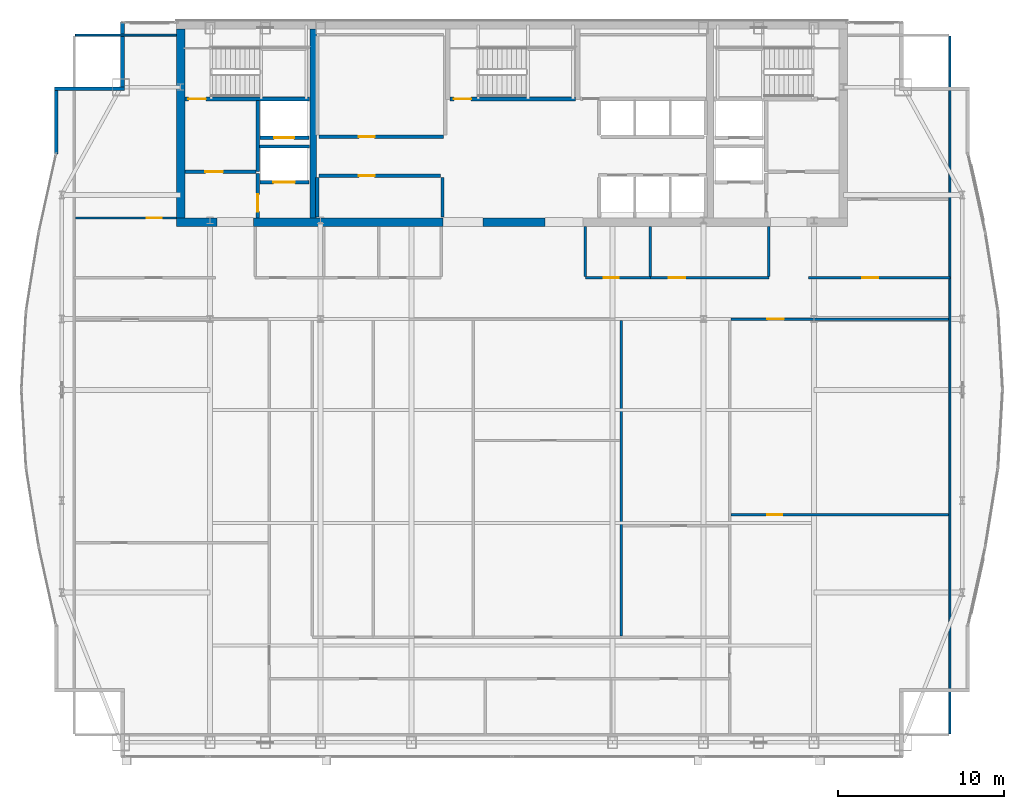
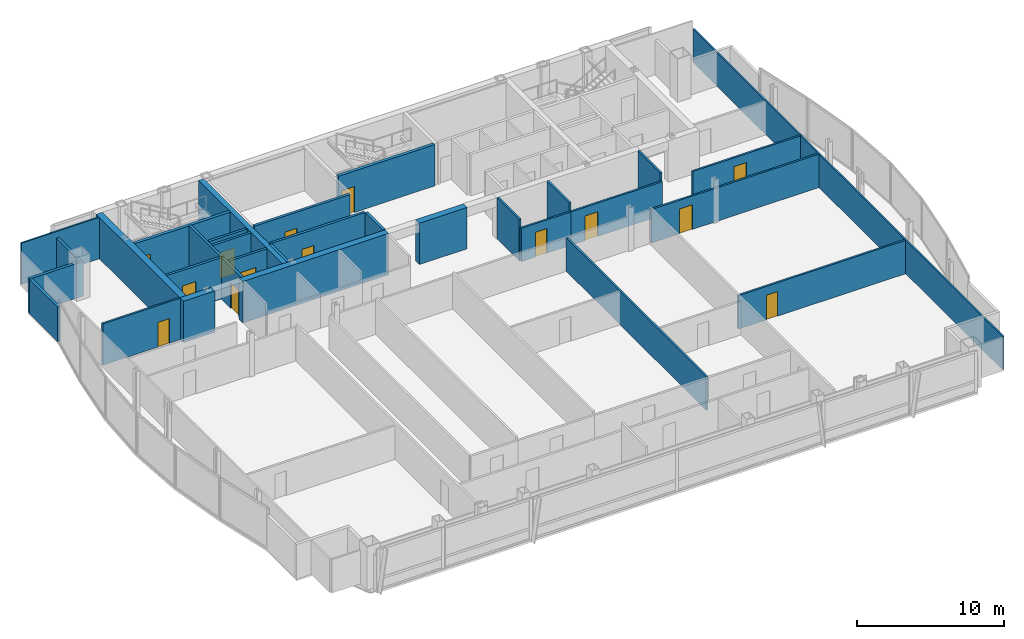
# One storey, part 26 of 30: 32 walls, 14 doors, 14 openings.
"""IFC4 building model written with IfcOpenShell, lengths in metres."""

from ifc_helpers import new_model, si_unit, direction, frame, frame_2d, origin, place, context, subcontext, project, spatial, rectangle, extrude, material, layer, layer_set, type_object, element, fill, save


model = new_model("IFC4")

# Units and contexts
model_context = context("Model", 3, precision=1e-05, world=origin(), true_north=direction((0.0, 1.0)))
body_context = subcontext(model_context, "Body", "Model", "MODEL_VIEW")
ifc_project = project(units=[si_unit("LENGTHUNIT", "METRE"), si_unit("AREAUNIT", "SQUARE_METRE"), si_unit("VOLUMEUNIT", "CUBIC_METRE"), si_unit("PLANEANGLEUNIT", "RADIAN"), si_unit("MASSUNIT", "GRAM", prefix="KILO")], contexts=[model_context])

# Site, building, storey
site_placement = place(None, origin())
site = spatial("IfcSite", under=ifc_project, at=site_placement, CompositionType="ELEMENT")
building_placement = place(site_placement, origin())
building = spatial("IfcBuilding", under=site, at=building_placement, Name="Khoronbel Lancet Exchange", CompositionType="ELEMENT")
storey_placement = place(building_placement, frame((0.0, 0.0, 269.800048828125)))
storey = spatial("IfcBuildingStorey", under=building, at=storey_placement, Name="L69", CompositionType="ELEMENT", Elevation=269.800048828125)

# Walls
ifc_material_1 = material(Name="Concrete C60/75", Category="concrete")
ifc_layer_1 = layer(ifc_material_1, 0.5, Name="Concrete C60/75")
ifc_layer_set_1 = layer_set([ifc_layer_1], Name="Concrete C60/75")
wall_type_1 = type_object("IfcWallType", Name="WL-CW4", PredefinedType="SHEAR", material=ifc_layer_set_1)
wall_1_placement = place(storey_placement, frame((16.449951171875, 41.800048828125, 0.0), z_axis=(0.0, 0.0, 1.0), x_axis=(0.0, 1.0, 0.0)))
element("IfcWall", 1, at=wall_1_placement, inside=storey, type_object=wall_type_1, Name="Level L69 rear core west shear wall", PredefinedType="SHEAR", context=body_context, shape_type="SweptSolid", body=[
    extrude(rectangle(XDim=11.39990234375, YDim=0.5, at=frame_2d((5.699951171875, 0.0))), origin(), (0.0, 0.0, 1.0), 3.43994140625),
])
wall_2_placement = place(storey_placement, frame((18.64990234375, 41.550048828125, 0.0), z_axis=(0.0, 0.0, 1.0), x_axis=(-1.0, 0.0, 0.0)))
element("IfcWall", 2, at=wall_2_placement, inside=storey, type_object=wall_type_1, Name="Level L69 rear core south shear wall pier P1", PredefinedType="SHEAR", context=body_context, shape_type="SweptSolid", body=[
    extrude(rectangle(XDim=2.449951171875, YDim=0.5, at=frame_2d((1.22509765625, 0.0))), origin(), (0.0, 0.0, 1.0), 3.43994140625),
])
wall_3_placement = place(storey_placement, frame((32.300048828125, 41.550048828125, 0.0), z_axis=(0.0, 0.0, 1.0), x_axis=(-1.0, 0.0, 0.0)))
element("IfcWall", 3, at=wall_3_placement, inside=storey, type_object=wall_type_1, Name="Level L69 rear core south shear wall pier P2", PredefinedType="SHEAR", context=body_context, shape_type="SweptSolid", body=[
    extrude(rectangle(XDim=11.449951171875, YDim=0.5, at=frame_2d((5.72509765625, 0.0))), origin(), (0.0, 0.0, 1.0), 3.43994140625),
])
wall_4_placement = place(storey_placement, frame((38.449951171875, 41.550048828125, 0.0), z_axis=(0.0, 0.0, 1.0), x_axis=(-1.0, 0.0, 0.0)))
element("IfcWall", 4, at=wall_4_placement, inside=storey, type_object=wall_type_1, Name="Level L69 rear core south shear wall pier P3", PredefinedType="SHEAR", context=body_context, shape_type="SweptSolid", body=[
    extrude(rectangle(XDim=3.75, YDim=0.5, at=frame_2d((1.875, 0.0))), origin(), (0.0, 0.0, 1.0), 3.43994140625),
])
ifc_material_2 = material(Name="Precast concrete C40/50", Category="concrete")
ifc_layer_2 = layer(ifc_material_2, 0.25, Name="Precast concrete C40/50")
ifc_layer_set_2 = layer_set([ifc_layer_2], Name="Precast concrete C40/50")
wall_type_2 = type_object("IfcWallType", Name="WL-EXT250", PredefinedType="SOLIDWALL", material=ifc_layer_set_2)
wall_5_placement = place(storey_placement, frame((8.93994140625, 45.670166015625, 0.0), z_axis=(0.0, 0.0, 1.0), x_axis=(0.0, 1.0, 0.0)))
element("IfcWall", 5, at=wall_5_placement, inside=storey, type_object=wall_type_2, Name="Level L69 notched-corner limestone pier 10", PredefinedType="SOLIDWALL", context=body_context, shape_type="SweptSolid", body=[
    extrude(rectangle(XDim=3.829833984375, YDim=0.219970703125, at=frame_2d((1.9150390625, 0.0))), origin(), (0.0, 0.0, 1.0), 2.8798828125),
])
wall_6_placement = place(storey_placement, frame((8.830078125, 49.610107421875, 0.0), z_axis=(0.0, 0.0, 1.0), x_axis=(1.0, 0.0, 0.0)))
element("IfcWall", 6, at=wall_6_placement, inside=storey, type_object=wall_type_2, Name="Level L69 notched-corner limestone pier 11", PredefinedType="SOLIDWALL", context=body_context, shape_type="SweptSolid", body=[
    extrude(rectangle(XDim=4.219970703125, YDim=0.219970703125, at=frame_2d((2.10986328125, 0.0))), origin(), (0.0, 0.0, 1.0), 2.8798828125),
])
wall_7_placement = place(storey_placement, frame((12.93994140625, 49.719970703125, 0.0), z_axis=(0.0, 0.0, 1.0), x_axis=(0.0, 1.0, 0.0)))
element("IfcWall", 7, at=wall_7_placement, inside=storey, type_object=wall_type_2, Name="Level L69 notched-corner limestone pier 12", PredefinedType="SOLIDWALL", context=body_context, shape_type="SweptSolid", body=[
    extrude(rectangle(XDim=3.909912109375, YDim=0.219970703125, at=frame_2d((1.955078125, 0.0))), origin(), (0.0, 0.0, 1.0), 2.8798828125),
])
ifc_material_3 = material(Name="Acoustic Metal-Stud & Mineral-Wool Gypsum Partition 120 mm", Category="gypsum")
ifc_layer_3 = layer(ifc_material_3, 0.1201171875, Name="Acoustic Metal-Stud & Mineral-Wool Gypsum Partition 120 mm")
ifc_layer_set_3 = layer_set([ifc_layer_3], Name="Acoustic Metal-Stud & Mineral-Wool Gypsum Partition 120 mm")
wall_type_3 = type_object("IfcWallType", Name="WL-PRT120", PredefinedType="PARTITIONING", material=ifc_layer_set_3)
for number, where, z_axis, x_axis, name in (
    (8, (40.8798828125, 38.280029296875, 0.0), (0.0, 0.0, 1.0), (0.0, 1.0, 0.0), "Level L69 interior partition PW-NP-0"),
    (9, (44.800048828125, 38.280029296875, 0.0), (0.0, 0.0, 1.0), (0.0, 1.0, 0.0), "Level L69 interior partition PW-NP-M"),
    (10, (51.949951171875, 38.280029296875, 0.0), (0.0, 0.0, 1.0), (0.0, 1.0, 0.0), "Level L69 interior partition PW-NP-1"),
):
    element("IfcWall", number, at=place(storey_placement, frame(where, z_axis=z_axis, x_axis=x_axis)), inside=storey, type_object=wall_type_3, Name=name, PredefinedType="PARTITIONING", context=body_context, shape_type="SweptSolid", body=[
        extrude(rectangle(XDim=3.02001953125, YDim=0.14990234375, at=frame_2d((1.510009765625, 0.0))), origin(), (0.0, 0.0, 1.0), 3.43994140625),
    ])

# Wall, opening, door
wall_8_placement = place(storey_placement, frame((10.094970703125, 41.800048828125, 0.0), z_axis=(0.0, 0.0, 1.0), x_axis=(1.0, 0.0, 0.0)))
wall_8 = element("IfcWall", 11, at=wall_8_placement, inside=storey, type_object=wall_type_3, Name="Level L69 interior partition PW-NW-H", PredefinedType="PARTITIONING", context=body_context, shape_type="SweptSolid", body=[
    extrude(rectangle(XDim=6.10498046875, YDim=0.14990234375, at=frame_2d((3.052490234375, 0.0))), origin(), (0.0, 0.0, 1.0), 3.43994140625),
])
opening_1_placement = place(wall_8_placement, frame((4.320068359375, 0.0, 0.0)))
opening_1 = element("IfcOpeningElement", 12, at=opening_1_placement, cuts=wall_8, Name="Opening D5", PredefinedType="OPENING", context=body_context, shape_type="SweptSolid", body=[
    extrude(rectangle(XDim=0.89990234375, YDim=2.050048828125, at=frame_2d((0.449951171875, 1.02490234375))), frame((0.0, 0.0849609375, 0.0), z_axis=(0.0, -1.0, 0.0), x_axis=(1.0, 0.0, 0.0)), (0.0, 0.0, 1.0), 0.169921875),
])
ifc_material_4 = material(Name="Acoustic Timber Pantry & Support Door", Category="wood")
door_type_1 = type_object("IfcDoorType", Name="DR-D5", OperationType="NOTDEFINED", PredefinedType="DOOR", material=ifc_material_4)
door_1_placement = place(opening_1_placement, origin())
door_1 = element("IfcDoor", 13, at=door_1_placement, inside=storey, type_object=door_type_1, Name="NW north room door L69-1", OperationType="SINGLE_SWING_LEFT", OverallHeight=2.050048828125, OverallWidth=0.89990234375, PredefinedType="DOOR", context=body_context, shape_type="SweptSolid", body=[
    extrude(rectangle(XDim=0.89990234375, YDim=2.050048828125, at=frame_2d((0.449951171875, 1.02490234375))), frame((0.0, 0.02490234375, 0.0), z_axis=(0.0, -1.0, 0.0), x_axis=(1.0, 0.0, 0.0)), (0.0, 0.0, 1.0), 0.050048828125),
])
fill(opening_1, door_1)

wall_9_placement = place(storey_placement, frame((49.659912109375, 23.89990234375, 0.0), z_axis=(0.0, 0.0, 1.0), x_axis=(1.0, 0.0, 0.0)))
wall_9 = element("IfcWall", 14, at=wall_9_placement, inside=storey, type_object=wall_type_3, Name="Level L69 interior partition PW-Z4-EH", PredefinedType="PARTITIONING", context=body_context, shape_type="SweptSolid", body=[
    extrude(rectangle(XDim=13.14501953125, YDim=0.14990234375, at=frame_2d((6.572509765625, 0.0))), origin(), (0.0, 0.0, 1.0), 2.780029296875),
])
opening_2_placement = place(wall_9_placement, frame((2.199951171875, 0.0, 0.0)))
opening_2 = element("IfcOpeningElement", 15, at=opening_2_placement, cuts=wall_9, Name="Opening D5", PredefinedType="OPENING", context=body_context, shape_type="SweptSolid", body=[
    extrude(rectangle(XDim=0.89990234375, YDim=2.050048828125, at=frame_2d((0.449951171875, 1.02490234375))), frame((0.0, 0.0849609375, 0.0), z_axis=(0.0, -1.0, 0.0), x_axis=(1.0, 0.0, 0.0)), (0.0, 0.0, 1.0), 0.169921875),
])
door_2_placement = place(opening_2_placement, origin())
door_2 = element("IfcDoor", 16, at=door_2_placement, inside=storey, type_object=door_type_1, Name="East lens inner door L69-1", OperationType="SINGLE_SWING_RIGHT", OverallHeight=2.050048828125, OverallWidth=0.89990234375, PredefinedType="DOOR", context=body_context, shape_type="SweptSolid", body=[
    extrude(rectangle(XDim=0.89990234375, YDim=2.050048828125, at=frame_2d((0.449951171875, 1.02490234375))), frame((0.0, 0.02490234375, 0.0), z_axis=(0.0, -1.0, 0.0), x_axis=(1.0, 0.0, 0.0)), (0.0, 0.0, 1.0), 0.050048828125),
])
fill(opening_2, door_2)

# Walls
wall_10_placement = place(storey_placement, frame((62.8701171875, 10.6650390625, 0.0), z_axis=(0.0, 0.0, 1.0), x_axis=(0.0, 1.0, 0.0)))
element("IfcWall", 17, at=wall_10_placement, inside=storey, type_object=wall_type_3, Name="Level L69 interior partition PW-LIN-E", PredefinedType="PARTITIONING", context=body_context, shape_type="SweptSolid", body=[
    extrude(rectangle(XDim=42.10986328125, YDim=0.1201171875, at=frame_2d((21.054931640625, 0.0))), origin(), (0.0, 0.0, 1.0), 2.780029296875),
])
wall_11_placement = place(storey_placement, frame((10.094970703125, 52.840087890625, 0.0), z_axis=(0.0, 0.0, 1.0), x_axis=(1.0, 0.0, 0.0)))
element("IfcWall", 18, at=wall_11_placement, inside=storey, type_object=wall_type_3, Name="Level L69 interior partition PW-LIN-NW", PredefinedType="PARTITIONING", context=body_context, shape_type="SweptSolid", body=[
    extrude(rectangle(XDim=6.10498046875, YDim=0.1201171875, at=frame_2d((3.052490234375, 0.0))), origin(), (0.0, 0.0, 1.0), 3.43994140625),
])

# Wall, opening, door
ifc_material_5 = material(Name="Fire-Rated Twin-Stud Acoustic Gypsum Partition 150 mm", Category="gypsum")
ifc_layer_4 = layer(ifc_material_5, 0.14990234375, Name="Fire-Rated Twin-Stud Acoustic Gypsum Partition 150 mm")
ifc_layer_set_4 = layer_set([ifc_layer_4], Name="Fire-Rated Twin-Stud Acoustic Gypsum Partition 150 mm")
wall_type_4 = type_object("IfcWallType", Name="WL-PRT150C", PredefinedType="PARTITIONING", material=ifc_layer_set_4)
wall_12_placement = place(storey_placement, frame((40.8798828125, 38.199951171875, 0.0), z_axis=(0.0, 0.0, 1.0), x_axis=(1.0, 0.0, 0.0)))
wall_12 = element("IfcWall", 19, at=wall_12_placement, inside=storey, type_object=wall_type_4, Name="Level L69 interior partition PW-NP-S1", PredefinedType="PARTITIONING", context=body_context, shape_type="SweptSolid", body=[
    extrude(rectangle(XDim=3.920166015625, YDim=0.14990234375, at=frame_2d((1.9599609375, 0.0))), origin(), (0.0, 0.0, 1.0), 2.780029296875),
])
opening_3_placement = place(wall_12_placement, frame((1.10009765625, 0.0, 0.0)))
opening_3 = element("IfcOpeningElement", 20, at=opening_3_placement, cuts=wall_12, Name="Opening D5", PredefinedType="OPENING", context=body_context, shape_type="SweptSolid", body=[
    extrude(rectangle(XDim=0.89990234375, YDim=2.050048828125, at=frame_2d((0.449951171875, 1.02490234375))), frame((0.0, 0.0849609375, 0.0), z_axis=(0.0, -1.0, 0.0), x_axis=(1.0, 0.0, 0.0)), (0.0, 0.0, 1.0), 0.169921875),
])
door_3_placement = place(opening_3_placement, origin())
door_3 = element("IfcDoor", 21, at=door_3_placement, inside=storey, type_object=door_type_1, Name="Floor refreshment pantry door L69-1", OperationType="SINGLE_SWING_LEFT", OverallHeight=2.050048828125, OverallWidth=0.89990234375, PredefinedType="DOOR", context=body_context, shape_type="SweptSolid", body=[
    extrude(rectangle(XDim=0.89990234375, YDim=2.050048828125, at=frame_2d((0.449951171875, 1.02490234375))), frame((0.0, 0.02490234375, 0.0), z_axis=(0.0, -1.0, 0.0), x_axis=(1.0, 0.0, 0.0)), (0.0, 0.0, 1.0), 0.050048828125),
])
fill(opening_3, door_3)

wall_13_placement = place(storey_placement, frame((44.800048828125, 38.199951171875, 0.0), z_axis=(0.0, 0.0, 1.0), x_axis=(1.0, 0.0, 0.0)))
wall_13 = element("IfcWall", 22, at=wall_13_placement, inside=storey, type_object=wall_type_4, Name="Level L69 interior partition PW-NP-S2", PredefinedType="PARTITIONING", context=body_context, shape_type="SweptSolid", body=[
    extrude(rectangle(XDim=7.14990234375, YDim=0.14990234375, at=frame_2d((3.574951171875, 0.0))), origin(), (0.0, 0.0, 1.0), 2.780029296875),
])
opening_4_placement = place(wall_13_placement, frame((1.10009765625, 0.0, 0.0)))
opening_4 = element("IfcOpeningElement", 23, at=opening_4_placement, cuts=wall_13, Name="Opening D2", PredefinedType="OPENING", context=body_context, shape_type="SweptSolid", body=[
    extrude(rectangle(XDim=1.0, YDim=2.050048828125, at=frame_2d((0.5, 1.02490234375))), frame((0.0, 0.0849609375, 0.0), z_axis=(0.0, -1.0, 0.0), x_axis=(1.0, 0.0, 0.0)), (0.0, 0.0, 1.0), 0.169921875),
])
ifc_material_6 = material(Name="Acoustic Veneered Timber & Bronze Frame Door", Category="wood")
door_type_2 = type_object("IfcDoorType", Name="DR-D2", OperationType="NOTDEFINED", PredefinedType="DOOR", material=ifc_material_6)
door_4_placement = place(opening_4_placement, origin())
door_4 = element("IfcDoor", 24, at=door_4_placement, inside=storey, type_object=door_type_2, Name="Floor store door L69-1", OperationType="SINGLE_SWING_RIGHT", OverallHeight=2.050048828125, OverallWidth=1.0, PredefinedType="DOOR", context=body_context, shape_type="SweptSolid", body=[
    extrude(rectangle(XDim=1.0, YDim=2.050048828125, at=frame_2d((0.5, 1.02490234375))), frame((0.0, 0.02490234375, 0.0), z_axis=(0.0, -1.0, 0.0), x_axis=(1.0, 0.0, 0.0)), (0.0, 0.0, 1.0), 0.050048828125),
])
fill(opening_4, door_4)

wall_14_placement = place(storey_placement, frame((54.35009765625, 38.199951171875, 0.0), z_axis=(0.0, 0.0, 1.0), x_axis=(1.0, 0.0, 0.0)))
wall_14 = element("IfcWall", 25, at=wall_14_placement, inside=storey, type_object=wall_type_4, Name="Level L69 interior partition PW-NE-S", PredefinedType="PARTITIONING", context=body_context, shape_type="SweptSolid", body=[
    extrude(rectangle(XDim=8.52001953125, YDim=0.14990234375, at=frame_2d((4.260009765625, 0.0))), origin(), (0.0, 0.0, 1.0), 2.780029296875),
])
opening_5_placement = place(wall_14_placement, frame((3.25, 0.0, 0.0)))
opening_5 = element("IfcOpeningElement", 26, at=opening_5_placement, cuts=wall_14, Name="Opening D1", PredefinedType="OPENING", context=body_context, shape_type="SweptSolid", body=[
    extrude(rectangle(XDim=0.949951171875, YDim=2.050048828125, at=frame_2d((0.47509765625, 1.02490234375))), frame((0.0, 0.0849609375, 0.0), z_axis=(0.0, -1.0, 0.0), x_axis=(1.0, 0.0, 0.0)), (0.0, 0.0, 1.0), 0.169921875),
])
door_type_3 = type_object("IfcDoorType", Name="DR-D1", OperationType="NOTDEFINED", PredefinedType="DOOR", material=ifc_material_6)
door_5_placement = place(opening_5_placement, origin())
door_5 = element("IfcDoor", 27, at=door_5_placement, inside=storey, type_object=door_type_3, Name="NE corner room door L69-1", OperationType="SINGLE_SWING_RIGHT", OverallHeight=2.050048828125, OverallWidth=0.949951171875, PredefinedType="DOOR", context=body_context, shape_type="SweptSolid", body=[
    extrude(rectangle(XDim=0.949951171875, YDim=2.050048828125, at=frame_2d((0.47509765625, 1.02490234375))), frame((0.0, 0.02490234375, 0.0), z_axis=(0.0, -1.0, 0.0), x_axis=(1.0, 0.0, 0.0)), (0.0, 0.0, 1.0), 0.050048828125),
])
fill(opening_5, door_5)

wall_15_placement = place(storey_placement, frame((49.659912109375, 35.699951171875, 0.0), z_axis=(0.0, 0.0, 1.0), x_axis=(1.0, 0.0, 0.0)))
wall_15 = element("IfcWall", 28, at=wall_15_placement, inside=storey, type_object=wall_type_4, Name="Level L69 interior partition PW-Z4-EN2", PredefinedType="PARTITIONING", context=body_context, shape_type="SweptSolid", body=[
    extrude(rectangle(XDim=13.14501953125, YDim=0.14990234375, at=frame_2d((6.572509765625, 0.0))), origin(), (0.0, 0.0, 1.0), 2.780029296875),
])
opening_6_placement = place(wall_15_placement, frame((2.199951171875, 0.0, 0.0)))
opening_6 = element("IfcOpeningElement", 29, at=opening_6_placement, cuts=wall_15, Name="Opening D2", PredefinedType="OPENING", context=body_context, shape_type="SweptSolid", body=[
    extrude(rectangle(XDim=1.0, YDim=2.050048828125, at=frame_2d((0.5, 1.02490234375))), frame((0.0, 0.0849609375, 0.0), z_axis=(0.0, -1.0, 0.0), x_axis=(1.0, 0.0, 0.0)), (0.0, 0.0, 1.0), 0.169921875),
])
door_6_placement = place(opening_6_placement, origin())
door_6 = element("IfcDoor", 30, at=door_6_placement, inside=storey, type_object=door_type_2, Name="East lens north door L69-1", OperationType="SINGLE_SWING_LEFT", OverallHeight=2.050048828125, OverallWidth=1.0, PredefinedType="DOOR", context=body_context, shape_type="SweptSolid", body=[
    extrude(rectangle(XDim=1.0, YDim=2.050048828125, at=frame_2d((0.5, 1.02490234375))), frame((0.0, 0.02490234375, 0.0), z_axis=(0.0, -1.0, 0.0), x_axis=(1.0, 0.0, 0.0)), (0.0, 0.0, 1.0), 0.050048828125),
])
fill(opening_6, door_6)

# Wall
wall_16_placement = place(storey_placement, frame((43.036376953125, 16.5849609375, 0.0), z_axis=(0.0, 0.0, 1.0), x_axis=(0.0, 1.0, 0.0)))
element("IfcWall", 31, at=wall_16_placement, inside=storey, type_object=wall_type_4, Name="Level L69 interior partition PW-Z4C-V3", PredefinedType="PARTITIONING", context=body_context, shape_type="SweptSolid", body=[
    extrude(rectangle(XDim=19.03515625, YDim=0.14990234375, at=frame_2d((9.517578125, 0.0))), origin(), (0.0, 0.0, 1.0), 2.780029296875),
])

# Wall, opening, door
ifc_material_7 = material(Name="Autoclaved Aerated Concrete Blockwork 200 mm", Category="masonry")
ifc_layer_5 = layer(ifc_material_7, 0.199951171875, Name="Autoclaved Aerated Concrete Blockwork 200 mm")
ifc_layer_set_5 = layer_set([ifc_layer_5], Name="Autoclaved Aerated Concrete Blockwork 200 mm")
wall_type_5 = type_object("IfcWallType", Name="WL-PRT200", PredefinedType="PARTITIONING", material=ifc_layer_set_5)
wall_17_placement = place(storey_placement, frame((24.2099609375, 43.949951171875, 0.0), z_axis=(0.0, 0.0, 1.0), x_axis=(-1.0, 0.0, 0.0)))
wall_17 = element("IfcWall", 32, at=wall_17_placement, inside=storey, type_object=wall_type_5, Name="Level L69 elevator hoistway landing front wall SVLW", PredefinedType="PARTITIONING", context=body_context, shape_type="SweptSolid", body=[
    extrude(rectangle(XDim=2.969970703125, YDim=0.199951171875, at=frame_2d((1.48486328125, 0.0))), origin(), (0.0, 0.0, 1.0), 3.43994140625),
])
opening_7_placement = place(wall_17_placement, frame((0.860107421875, 0.0, 0.0)))
opening_7 = element("IfcOpeningElement", 33, at=opening_7_placement, cuts=wall_17, Name="Opening LD-SVL1", PredefinedType="OPENING", context=body_context, shape_type="SweptSolid", body=[
    extrude(rectangle(XDim=1.300048828125, YDim=2.179931640625, at=frame_2d((0.64990234375, 1.08984375))), frame((0.0, 0.10986328125, 0.0), z_axis=(0.0, -1.0, 0.0), x_axis=(1.0, 0.0, 0.0)), (0.0, 0.0, 1.0), 0.219970703125),
])
ifc_material_8 = material(Name="Heavy-Duty Bi-Parting Goods Lift Landing Door", Category="steel")
door_type_4 = type_object("IfcDoorType", Name="DR-LD-SVL", OperationType="NOTDEFINED", PredefinedType="DOOR", material=ifc_material_8)
door_7_placement = place(opening_7_placement, origin())
door_7 = element("IfcDoor", 34, at=door_7_placement, inside=storey, type_object=door_type_4, Name="Elevator landing sliding door LD-SVL1 L69", OperationType="SLIDING_TO_LEFT", OverallHeight=2.179931640625, OverallWidth=1.300048828125, PredefinedType="DOOR", context=body_context, shape_type="SweptSolid", body=[
    extrude(rectangle(XDim=1.300048828125, YDim=2.179931640625, at=frame_2d((0.64990234375, 1.08984375))), frame((0.0, 0.02490234375, 0.0), z_axis=(0.0, -1.0, 0.0), x_axis=(1.0, 0.0, 0.0)), (0.0, 0.0, 1.0), 0.050048828125),
])
fill(opening_7, door_7)

wall_18_placement = place(storey_placement, frame((24.2099609375, 46.64990234375, 0.0), z_axis=(0.0, 0.0, 1.0), x_axis=(-1.0, 0.0, 0.0)))
wall_18 = element("IfcWall", 35, at=wall_18_placement, inside=storey, type_object=wall_type_5, Name="Level L69 elevator hoistway landing front wall FFLW", PredefinedType="PARTITIONING", context=body_context, shape_type="SweptSolid", body=[
    extrude(rectangle(XDim=2.969970703125, YDim=0.199951171875, at=frame_2d((1.48486328125, 0.0))), origin(), (0.0, 0.0, 1.0), 3.43994140625),
])
opening_8_placement = place(wall_18_placement, frame((0.909912109375, 0.0, 0.0)))
opening_8 = element("IfcOpeningElement", 36, at=opening_8_placement, cuts=wall_18, Name="Opening LD-FFL1", PredefinedType="OPENING", context=body_context, shape_type="SweptSolid", body=[
    extrude(rectangle(XDim=1.199951171875, YDim=2.179931640625, at=frame_2d((0.60009765625, 1.08984375))), frame((0.0, 0.10986328125, 0.0), z_axis=(0.0, -1.0, 0.0), x_axis=(1.0, 0.0, 0.0)), (0.0, 0.0, 1.0), 0.219970703125),
])
ifc_material_9 = material(Name="Fire-Rated Stainless Bi-Parting Firefighting Lift Door", Category="steel")
door_type_5 = type_object("IfcDoorType", Name="DR-LD-FFL", OperationType="NOTDEFINED", PredefinedType="DOOR", material=ifc_material_9)
door_8_placement = place(opening_8_placement, origin())
door_8 = element("IfcDoor", 37, at=door_8_placement, inside=storey, type_object=door_type_5, Name="Elevator landing sliding door LD-FFL1 L69", OperationType="SLIDING_TO_LEFT", OverallHeight=2.179931640625, OverallWidth=1.199951171875, PredefinedType="DOOR", context=body_context, shape_type="SweptSolid", body=[
    extrude(rectangle(XDim=1.199951171875, YDim=2.179931640625, at=frame_2d((0.60009765625, 1.08984375))), frame((0.0, 0.02490234375, 0.0), z_axis=(0.0, -1.0, 0.0), x_axis=(1.0, 0.0, 0.0)), (0.0, 0.0, 1.0), 0.050048828125),
])
fill(opening_8, door_8)

# Wall
wall_19_placement = place(storey_placement, frame((21.10009765625, 44.60009765625, 0.0), z_axis=(0.0, 0.0, 1.0), x_axis=(0.0, 1.0, 0.0)))
element("IfcWall", 38, at=wall_19_placement, inside=storey, type_object=wall_type_5, Name="Level L69 interior partition CW-FFLW-E", PredefinedType="PARTITIONING", context=body_context, shape_type="SweptSolid", body=[
    extrude(rectangle(XDim=4.2998046875, YDim=0.199951171875, at=frame_2d((2.14990234375, 0.0))), origin(), (0.0, 0.0, 1.0), 3.43994140625),
])

# Wall, opening, door
wall_20_placement = place(storey_placement, frame((16.699951171875, 44.60009765625, 0.0), z_axis=(0.0, 0.0, 1.0), x_axis=(1.0, 0.0, 0.0)))
wall_20 = element("IfcWall", 39, at=wall_20_placement, inside=storey, type_object=wall_type_5, Name="Level L69 interior partition CW-FFLW-S", PredefinedType="PARTITIONING", context=body_context, shape_type="SweptSolid", body=[
    extrude(rectangle(XDim=4.300048828125, YDim=0.199951171875, at=frame_2d((2.14990234375, 0.0))), origin(), (0.0, 0.0, 1.0), 3.43994140625),
])
opening_9_placement = place(wall_20_placement, frame((1.25, 0.0, 0.0)))
opening_9 = element("IfcOpeningElement", 40, at=opening_9_placement, cuts=wall_20, Name="Opening FD1", PredefinedType="OPENING", context=body_context, shape_type="SweptSolid", body=[
    extrude(rectangle(XDim=1.050048828125, YDim=2.14990234375, at=frame_2d((0.52490234375, 1.074951171875))), frame((0.0, 0.10986328125, 0.0), z_axis=(0.0, -1.0, 0.0), x_axis=(1.0, 0.0, 0.0)), (0.0, 0.0, 1.0), 0.219970703125),
])
ifc_material_10 = material(Name="Fire-Rated Painted Steel Door Assembly", Category="steel")
door_type_6 = type_object("IfcDoorType", Name="DR-FD1", OperationType="NOTDEFINED", PredefinedType="DOOR", material=ifc_material_10)
door_9_placement = place(opening_9_placement, origin())
door_9 = element("IfcDoor", 41, at=door_9_placement, inside=storey, type_object=door_type_6, Name="West firefighting lobby FD90S door L69-1", OperationType="SINGLE_SWING_LEFT", OverallHeight=2.14990234375, OverallWidth=1.050048828125, PredefinedType="DOOR", context=body_context, shape_type="SweptSolid", body=[
    extrude(rectangle(XDim=1.050048828125, YDim=2.14990234375, at=frame_2d((0.52490234375, 1.074951171875))), frame((0.0, 0.02490234375, 0.0), z_axis=(0.0, -1.0, 0.0), x_axis=(1.0, 0.0, 0.0)), (0.0, 0.0, 1.0), 0.050048828125),
])
fill(opening_9, door_9)

# Wall
wall_21_placement = place(storey_placement, frame((21.199951171875, 46.1201171875, 0.0), z_axis=(0.0, 0.0, 1.0), x_axis=(1.0, 0.0, 0.0)))
element("IfcWall", 42, at=wall_21_placement, inside=storey, type_object=wall_type_5, Name="Level L69 interior partition CW-FFL1-S", PredefinedType="PARTITIONING", context=body_context, shape_type="SweptSolid", body=[
    extrude(rectangle(XDim=3.02001953125, YDim=0.199951171875, at=frame_2d((1.510009765625, 0.0))), origin(), (0.0, 0.0, 1.0), 3.43994140625),
])

# Wall, opening, door
wall_22_placement = place(storey_placement, frame((21.10009765625, 41.800048828125, 0.0), z_axis=(0.0, 0.0, 1.0), x_axis=(0.0, 1.0, 0.0)))
wall_22 = element("IfcWall", 43, at=wall_22_placement, inside=storey, type_object=wall_type_5, Name="Level L69 interior partition CW-SVLW-W", PredefinedType="PARTITIONING", context=body_context, shape_type="SweptSolid", body=[
    extrude(rectangle(XDim=2.695068359375, YDim=0.199951171875, at=frame_2d((1.34765625, 0.0))), origin(), (0.0, 0.0, 1.0), 3.43994140625),
])
opening_10_placement = place(wall_22_placement, frame((0.3798828125, 0.0, 0.0)))
opening_10 = element("IfcOpeningElement", 44, at=opening_10_placement, cuts=wall_22, Name="Opening FD1", PredefinedType="OPENING", context=body_context, shape_type="SweptSolid", body=[
    extrude(rectangle(XDim=1.050048828125, YDim=2.14990234375, at=frame_2d((0.52490234375, 1.074951171875))), frame((0.0, 0.10986328125, 0.0), z_axis=(0.0, -1.0, 0.0), x_axis=(1.0, 0.0, 0.0)), (0.0, 0.0, 1.0), 0.219970703125),
])
door_10_placement = place(opening_10_placement, origin())
door_10 = element("IfcDoor", 45, at=door_10_placement, inside=storey, type_object=door_type_6, Name="West service lift lobby door L69-1", OperationType="SINGLE_SWING_RIGHT", OverallHeight=2.14990234375, OverallWidth=1.050048828125, PredefinedType="DOOR", context=body_context, shape_type="SweptSolid", body=[
    extrude(rectangle(XDim=1.050048828125, YDim=2.14990234375, at=frame_2d((0.52490234375, 1.074951171875))), frame((0.0, 0.02490234375, 0.0), z_axis=(0.0, -1.0, 0.0), x_axis=(1.0, 0.0, 0.0)), (0.0, 0.0, 1.0), 0.050048828125),
])
fill(opening_10, door_10)

wall_23_placement = place(storey_placement, frame((24.804931640625, 46.699951171875, 0.0), z_axis=(0.0, 0.0, 1.0), x_axis=(1.0, 0.0, 0.0)))
wall_23 = element("IfcWall", 46, at=wall_23_placement, inside=storey, type_object=wall_type_5, Name="Level L69 interior partition CW-PL-RF", PredefinedType="PARTITIONING", context=body_context, shape_type="SweptSolid", body=[
    extrude(rectangle(XDim=7.510009765625, YDim=0.199951171875, at=frame_2d((3.7548828125, 0.0))), origin(), (0.0, 0.0, 1.0), 3.43994140625),
])
opening_11_placement = place(wall_23_placement, frame((2.39990234375, 0.0, 0.0)))
opening_11 = element("IfcOpeningElement", 47, at=opening_11_placement, cuts=wall_23, Name="Opening FD3", PredefinedType="OPENING", context=body_context, shape_type="SweptSolid", body=[
    extrude(rectangle(XDim=0.949951171875, YDim=2.10009765625, at=frame_2d((0.47509765625, 1.050048828125))), frame((0.0, 0.10986328125, 0.0), z_axis=(0.0, -1.0, 0.0), x_axis=(1.0, 0.0, 0.0)), (0.0, 0.0, 1.0), 0.219970703125),
])
ifc_material_11 = material(Name="Fire-Rated Steel Plant & Riser Door Assembly", Category="steel")
door_type_7 = type_object("IfcDoorType", Name="DR-FD3", OperationType="NOTDEFINED", PredefinedType="DOOR", material=ifc_material_11)
door_11_placement = place(opening_11_placement, origin())
door_11 = element("IfcDoor", 48, at=door_11_placement, inside=storey, type_object=door_type_7, Name="Reclaimed PL room door L69-1", OperationType="SINGLE_SWING_LEFT", OverallHeight=2.10009765625, OverallWidth=0.949951171875, PredefinedType="DOOR", context=body_context, shape_type="SweptSolid", body=[
    extrude(rectangle(XDim=0.949951171875, YDim=2.10009765625, at=frame_2d((0.47509765625, 1.050048828125))), frame((0.0, 0.02490234375, 0.0), z_axis=(0.0, -1.0, 0.0), x_axis=(1.0, 0.0, 0.0)), (0.0, 0.0, 1.0), 0.050048828125),
])
fill(opening_11, door_11)

# Walls
for number, where, z_axis, x_axis, name in (
    (49, (24.699951171875, 41.85009765625, 0.0), (0.0, 0.0, 1.0), (0.0, 1.0, 0.0), "Level L69 interior partition CW-PM-RW"),
    (50, (32.25, 41.85009765625, 0.0), (0.0, 0.0, 1.0), (0.0, 1.0, 0.0), "Level L69 interior partition CW-PM-RE"),
):
    element("IfcWall", number, at=place(storey_placement, frame(where, z_axis=z_axis, x_axis=x_axis)), inside=storey, type_object=wall_type_5, Name=name, PredefinedType="PARTITIONING", context=body_context, shape_type="SweptSolid", body=[
        extrude(rectangle(XDim=2.39501953125, YDim=0.199951171875, at=frame_2d((1.197509765625, 0.0))), origin(), (0.0, 0.0, 1.0), 3.43994140625),
    ])

# Wall, opening, door
wall_24_placement = place(storey_placement, frame((24.804931640625, 44.35009765625, 0.0), z_axis=(0.0, 0.0, 1.0), x_axis=(1.0, 0.0, 0.0)))
wall_24 = element("IfcWall", 51, at=wall_24_placement, inside=storey, type_object=wall_type_5, Name="Level L69 interior partition CW-PM-RF", PredefinedType="PARTITIONING", context=body_context, shape_type="SweptSolid", body=[
    extrude(rectangle(XDim=7.340087890625, YDim=0.199951171875, at=frame_2d((3.669921875, 0.0))), origin(), (0.0, 0.0, 1.0), 3.43994140625),
])
opening_12_placement = place(wall_24_placement, frame((2.39990234375, 0.0, 0.0)))
opening_12 = element("IfcOpeningElement", 52, at=opening_12_placement, cuts=wall_24, Name="Opening FD3", PredefinedType="OPENING", context=body_context, shape_type="SweptSolid", body=[
    extrude(rectangle(XDim=0.949951171875, YDim=2.10009765625, at=frame_2d((0.47509765625, 1.050048828125))), frame((0.0, 0.10986328125, 0.0), z_axis=(0.0, -1.0, 0.0), x_axis=(1.0, 0.0, 0.0)), (0.0, 0.0, 1.0), 0.219970703125),
])
door_12_placement = place(opening_12_placement, origin())
door_12 = element("IfcDoor", 53, at=door_12_placement, inside=storey, type_object=door_type_7, Name="Reclaimed PM room door L69-1", OperationType="SINGLE_SWING_RIGHT", OverallHeight=2.10009765625, OverallWidth=0.949951171875, PredefinedType="DOOR", context=body_context, shape_type="SweptSolid", body=[
    extrude(rectangle(XDim=0.949951171875, YDim=2.10009765625, at=frame_2d((0.47509765625, 1.050048828125))), frame((0.0, 0.02490234375, 0.0), z_axis=(0.0, -1.0, 0.0), x_axis=(1.0, 0.0, 0.0)), (0.0, 0.0, 1.0), 0.050048828125),
])
fill(opening_12, door_12)

# Wall
ifc_layer_6 = layer(ifc_material_1, 0.39990234375, Name="Concrete C60/75")
ifc_layer_set_6 = layer_set([ifc_layer_6], Name="Concrete C60/75")
wall_type_6 = type_object("IfcWallType", Name="WL-SW2", PredefinedType="SHEAR", material=ifc_layer_set_6)
wall_25_placement = place(storey_placement, frame((24.449951171875, 41.800048828125, 0.0), z_axis=(0.0, 0.0, 1.0), x_axis=(0.0, 1.0, 0.0)))
element("IfcWall", 54, at=wall_25_placement, inside=storey, type_object=wall_type_6, Name="Level L69 rear core internal spine shear wall IW", PredefinedType="SHEAR", context=body_context, shape_type="SweptSolid", body=[
    extrude(rectangle(XDim=11.39990234375, YDim=0.39990234375, at=frame_2d((5.699951171875, 0.0))), origin(), (0.0, 0.0, 1.0), 3.43994140625),
])

# Wall, opening, door
ifc_layer_7 = layer(ifc_material_1, 0.260009765625, Name="Concrete C60/75")
ifc_layer_set_7 = layer_set([ifc_layer_7], Name="Concrete C60/75")
wall_type_7 = type_object("IfcWallType", Name="WL-SW3", PredefinedType="SHEAR", material=ifc_layer_set_7)
wall_26_placement = place(storey_placement, frame((16.699951171875, 48.97998046875, 0.0), z_axis=(0.0, 0.0, 1.0), x_axis=(1.0, 0.0, 0.0)))
wall_26 = element("IfcWall", 55, at=wall_26_placement, inside=storey, type_object=wall_type_7, Name="Level L69 west stairwell structural south wall", PredefinedType="SHEAR", context=body_context, shape_type="SweptSolid", body=[
    extrude(rectangle(XDim=7.52001953125, YDim=0.239990234375, at=frame_2d((3.760009765625, 0.0))), origin(), (0.0, 0.0, 1.0), 3.43994140625),
])
opening_13_placement = place(wall_26_placement, frame((0.219970703125, 0.0, 0.0)))
opening_13 = element("IfcOpeningElement", 56, at=opening_13_placement, cuts=wall_26, Name="Opening SD1", PredefinedType="OPENING", context=body_context, shape_type="SweptSolid", body=[
    extrude(rectangle(XDim=1.050048828125, YDim=2.14990234375, at=frame_2d((0.52490234375, 1.074951171875))), frame((0.0, 0.1298828125, 0.0), z_axis=(0.0, -1.0, 0.0), x_axis=(1.0, 0.0, 0.0)), (0.0, 0.0, 1.0), 0.260009765625),
])
ifc_material_12 = material(Name="Fire-Rated Steel Stairwell Door Assembly", Category="steel")
door_type_8 = type_object("IfcDoorType", Name="DR-SD1", OperationType="NOTDEFINED", PredefinedType="DOOR", material=ifc_material_12)
door_13_placement = place(opening_13_placement, origin())
door_13 = element("IfcDoor", 57, at=door_13_placement, inside=storey, type_object=door_type_8, Name="Protected exit stair ST1 door L69", OperationType="SINGLE_SWING_LEFT", OverallHeight=2.14990234375, OverallWidth=1.050048828125, PredefinedType="DOOR", context=body_context, shape_type="SweptSolid", body=[
    extrude(rectangle(XDim=1.050048828125, YDim=2.14990234375, at=frame_2d((0.52490234375, 1.074951171875))), frame((0.0, 0.02490234375, 0.0), z_axis=(0.0, -1.0, 0.0), x_axis=(1.0, 0.0, 0.0)), (0.0, 0.0, 1.0), 0.050048828125),
])
fill(opening_13, door_13)

wall_27_placement = place(storey_placement, frame((32.719970703125, 48.97998046875, 0.0), z_axis=(0.0, 0.0, 1.0), x_axis=(1.0, 0.0, 0.0)))
wall_27 = element("IfcWall", 58, at=wall_27_placement, inside=storey, type_object=wall_type_7, Name="Level L69 central stairwell structural south wall", PredefinedType="SHEAR", context=body_context, shape_type="SweptSolid", body=[
    extrude(rectangle(XDim=7.56005859375, YDim=0.239990234375, at=frame_2d((3.780029296875, 0.0))), origin(), (0.0, 0.0, 1.0), 3.43994140625),
])
opening_14_placement = place(wall_27_placement, frame((0.219970703125, 0.0, 0.0)))
opening_14 = element("IfcOpeningElement", 59, at=opening_14_placement, cuts=wall_27, Name="Opening SD1", PredefinedType="OPENING", context=body_context, shape_type="SweptSolid", body=[
    extrude(rectangle(XDim=1.050048828125, YDim=2.14990234375, at=frame_2d((0.52490234375, 1.074951171875))), frame((0.0, 0.1298828125, 0.0), z_axis=(0.0, -1.0, 0.0), x_axis=(1.0, 0.0, 0.0)), (0.0, 0.0, 1.0), 0.260009765625),
])
door_14_placement = place(opening_14_placement, origin())
door_14 = element("IfcDoor", 60, at=door_14_placement, inside=storey, type_object=door_type_8, Name="Protected exit stair ST3 door L69", OperationType="SINGLE_SWING_LEFT", OverallHeight=2.14990234375, OverallWidth=1.050048828125, PredefinedType="DOOR", context=body_context, shape_type="SweptSolid", body=[
    extrude(rectangle(XDim=1.050048828125, YDim=2.14990234375, at=frame_2d((0.52490234375, 1.074951171875))), frame((0.0, 0.02490234375, 0.0), z_axis=(0.0, -1.0, 0.0), x_axis=(1.0, 0.0, 0.0)), (0.0, 0.0, 1.0), 0.050048828125),
])
fill(opening_14, door_14)

save(model, "model.ifc")
